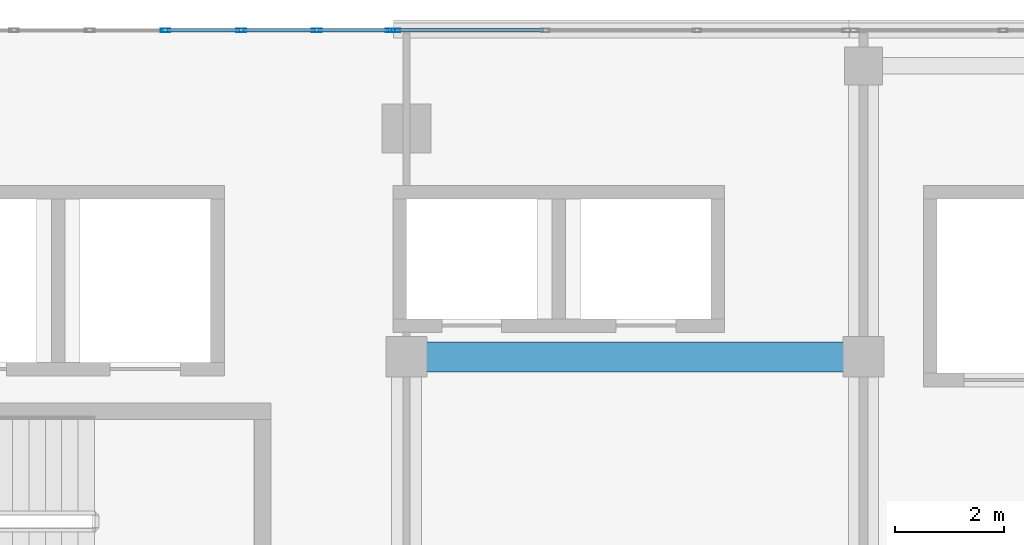
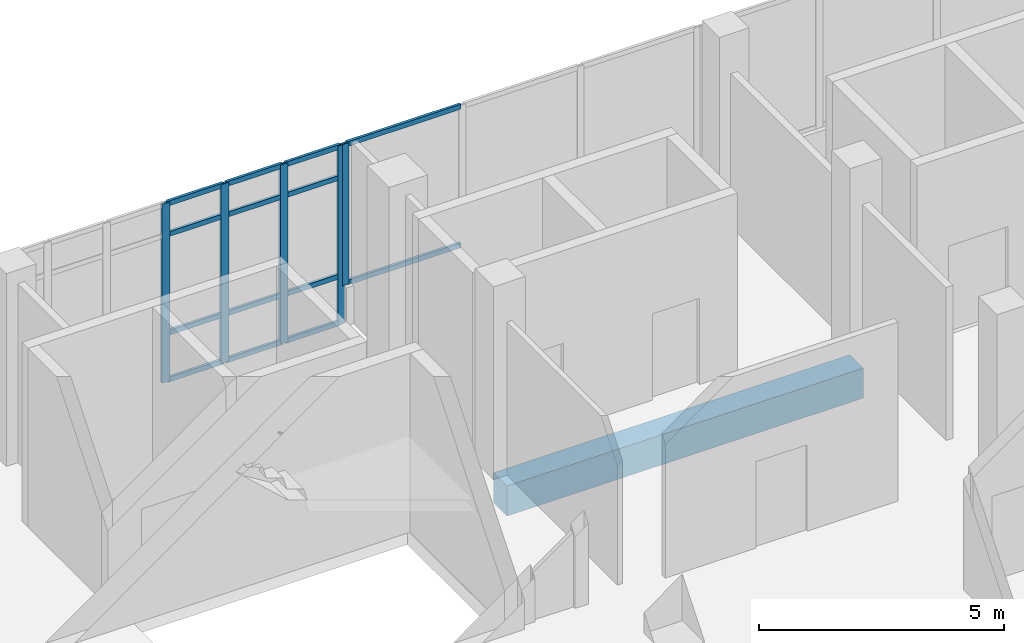
# One storey, part 88 of 155: 19 members, 1 beam, 2 elements without a shape of their own.
"""IFC4 building model written with IfcOpenShell, lengths in metres."""

from ifc_helpers import new_model, si_unit, direction, frame, origin, origin_2d, place, context, subcontext, project, spatial, rectangle, hollow_rectangle, extrude, material, material_profile, profile_set, type_object, element, aggregate, save


model = new_model("IFC4")

# Units and contexts
model_context = context("Model", 3, precision=1e-05, world=origin(), true_north=direction((0.0, 1.0)))
body_context = subcontext(model_context, "Body", "Model", "MODEL_VIEW")
ifc_project = project(units=[si_unit("LENGTHUNIT", "METRE"), si_unit("AREAUNIT", "SQUARE_METRE"), si_unit("VOLUMEUNIT", "CUBIC_METRE"), si_unit("PLANEANGLEUNIT", "RADIAN"), si_unit("MASSUNIT", "GRAM", prefix="KILO")], contexts=[model_context])

# Site, building, storey
site_placement = place(None, origin())
site = spatial("IfcSite", under=ifc_project, at=site_placement, CompositionType="ELEMENT")
building_placement = place(site_placement, origin())
building = spatial("IfcBuilding", under=site, at=building_placement, Name="Selatvlak General Hospital", CompositionType="ELEMENT")
storey_placement = place(building_placement, frame((0.0, 0.0, 10.199951171875)))
storey = spatial("IfcBuildingStorey", under=building, at=storey_placement, Name="L02", CompositionType="ELEMENT", Elevation=10.199951171875)

# Beam
ifc_material_1 = material(Name="Concrete C40/50", Category="concrete")
ifc_material_profile_1 = material_profile(ifc_material_1, rectangle(XDim=0.550048828125, YDim=0.75, at=origin_2d()), Name="RC-BM 550x750")
ifc_profile_set_1 = profile_set([ifc_material_profile_1], Name="Concrete C40/50")
beam_type = type_object("IfcBeamType", Name="BM-G02", PredefinedType="BEAM", material=ifc_profile_set_1)
beam_placement = place(storey_placement, frame((115.199951171875, 114.0, -0.72998046875), z_axis=(1.0, 0.0, 0.0), x_axis=(0.0, 1.0, 0.0)))
element("IfcBeam", 1, at=beam_placement, inside=storey, type_object=beam_type, Name="Beam BMR-L02-0902", PredefinedType="BEAM", context=body_context, shape_type="SweptSolid", body=[
    extrude(rectangle(XDim=0.550048828125, YDim=0.75, at=origin_2d()), origin(), (0.0, 0.0, 1.0), 8.400146484375),
])

# Curtain wall, member
ifc_material_2 = material(Name="Solar-control Low-E double glazing", Category="glass")
curtain_wall_type_1 = type_object("IfcCurtainWallType", Name="CW-CW-02", PredefinedType="USERDEFINED", material=ifc_material_2)
curtain_wall_1_placement = place(storey_placement, origin())
curtain_wall_1 = element("IfcCurtainWall", 2, at=curtain_wall_1_placement, inside=storey, type_object=curtain_wall_type_1, Name="Glazed facade curtain wall CW-L02-0255", ObjectType="UNITISED CURTAIN WALL", PredefinedType="USERDEFINED")
ifc_material_3 = material(Name="Dark anodised aluminium mullion", Category="aluminium")
ifc_material_profile_2 = material_profile(ifc_material_3, hollow_rectangle(XDim=0.06494140625, YDim=0.159912109375, WallThickness=0.00390625, at=origin_2d()), Name="AL-MUL 65x160x4")
ifc_profile_set_2 = profile_set([ifc_material_profile_2], Name="Dark anodised aluminium mullion")
member_type_1 = type_object("IfcMemberType", Name="CWM-01", PredefinedType="MULLION", material=ifc_profile_set_2)
member_1_placement = place(storey_placement, frame((115.006591796875, 120.0, 0.93994140625), z_axis=(0.0, 0.0, 1.0), x_axis=(0.0, 1.0, 0.0)))
member_1 = element("IfcMember", 3, at=member_1_placement, type_object=member_type_1, Name="CW-02 mullion 1", PredefinedType="MULLION", context=body_context, shape_type="SweptSolid", body=[
    extrude(hollow_rectangle(XDim=0.06494140625, YDim=0.159912109375, WallThickness=0.00390625, at=origin_2d()), origin(), (0.0, 0.0, 1.0), 3.52001953125),
])

# Curtain wall, members
curtain_wall_type_2 = type_object("IfcCurtainWallType", Name="CW-CW-04", PredefinedType="USERDEFINED", material=ifc_material_2)
curtain_wall_2_placement = place(storey_placement, origin())
curtain_wall_2 = element("IfcCurtainWall", 4, at=curtain_wall_2_placement, inside=storey, type_object=curtain_wall_type_2, Name="Glazed facade curtain wall CW-L02-0254", ObjectType="STICK GLAZING WALL", PredefinedType="USERDEFINED")
ifc_material_profile_3 = material_profile(ifc_material_3, hollow_rectangle(XDim=0.06494140625, YDim=0.179931640625, WallThickness=0.00439453125, at=origin_2d()), Name="AL-MUL 65x180x4.5")
ifc_profile_set_3 = profile_set([ifc_material_profile_3], Name="Dark anodised aluminium mullion")
member_type_2 = type_object("IfcMemberType", Name="CWM-02", PredefinedType="MULLION", material=ifc_profile_set_3)
member_2_placement = place(storey_placement, frame((110.76904296875, 120.0, 0.0), z_axis=(0.0, 0.0, 1.0), x_axis=(0.0, 1.0, 0.0)))
member_2 = element("IfcMember", 5, at=member_2_placement, type_object=member_type_2, Name="CW-04 mullion 4", PredefinedType="MULLION", context=body_context, shape_type="SweptSolid", body=[
    extrude(hollow_rectangle(XDim=0.06494140625, YDim=0.179931640625, WallThickness=0.00439453125, at=origin_2d()), origin(), (0.0, 0.0, 1.0), 4.4599609375),
])
member_3_placement = place(storey_placement, frame((112.16064453125, 120.0, 0.0), z_axis=(0.0, 0.0, 1.0), x_axis=(0.0, 1.0, 0.0)))
member_3 = element("IfcMember", 6, at=member_3_placement, type_object=member_type_2, Name="CW-04 mullion 5", PredefinedType="MULLION", context=body_context, shape_type="SweptSolid", body=[
    extrude(hollow_rectangle(XDim=0.06494140625, YDim=0.179931640625, WallThickness=0.00439453125, at=origin_2d()), origin(), (0.0, 0.0, 1.0), 4.4599609375),
])
member_4_placement = place(storey_placement, frame((113.55224609375, 120.0, 0.0), z_axis=(0.0, 0.0, 1.0), x_axis=(0.0, 1.0, 0.0)))
member_4 = element("IfcMember", 7, at=member_4_placement, type_object=member_type_2, Name="CW-04 mullion 6", PredefinedType="MULLION", context=body_context, shape_type="SweptSolid", body=[
    extrude(hollow_rectangle(XDim=0.06494140625, YDim=0.179931640625, WallThickness=0.00439453125, at=origin_2d()), origin(), (0.0, 0.0, 1.0), 4.4599609375),
])
member_5_placement = place(storey_placement, frame((114.91162109375, 120.0, 0.0), z_axis=(0.0, 0.0, 1.0), x_axis=(0.0, 1.0, 0.0)))
member_5 = element("IfcMember", 8, at=member_5_placement, type_object=member_type_2, Name="CW-04 mullion 7", PredefinedType="MULLION", context=body_context, shape_type="SweptSolid", body=[
    extrude(hollow_rectangle(XDim=0.06494140625, YDim=0.179931640625, WallThickness=0.00439453125, at=origin_2d()), origin(), (0.0, 0.0, 1.0), 4.4599609375),
])
ifc_material_profile_4 = material_profile(ifc_material_3, hollow_rectangle(XDim=0.06494140625, YDim=0.1201171875, WallThickness=0.00390625, at=origin_2d()), Name="AL-TRN 65x120x4")
ifc_profile_set_4 = profile_set([ifc_material_profile_4], Name="Dark anodised aluminium mullion")
member_type_3 = type_object("IfcMemberType", Name="CWT-01", PredefinedType="USERDEFINED", material=ifc_profile_set_4)
member_6_placement = place(storey_placement, frame((110.801513671875, 120.0, 0.032470703125), z_axis=(1.0, 0.0, 0.0), x_axis=(0.0, 1.0, 0.0)))
member_6 = element("IfcMember", 9, at=member_6_placement, type_object=member_type_3, Name="CW-04 transom 4.1", ObjectType="TRANSOM", PredefinedType="USERDEFINED", context=body_context, shape_type="SweptSolid", body=[
    extrude(hollow_rectangle(XDim=0.06494140625, YDim=0.1201171875, WallThickness=0.00390625, at=origin_2d()), origin(), (0.0, 0.0, 1.0), 1.32666015625),
])
member_7_placement = place(storey_placement, frame((110.801513671875, 120.0, 1.199951171875), z_axis=(1.0, 0.0, 0.0), x_axis=(0.0, 1.0, 0.0)))
member_7 = element("IfcMember", 10, at=member_7_placement, type_object=member_type_3, Name="CW-04 transom 4.2", ObjectType="TRANSOM", PredefinedType="USERDEFINED", context=body_context, shape_type="SweptSolid", body=[
    extrude(hollow_rectangle(XDim=0.06494140625, YDim=0.1201171875, WallThickness=0.00390625, at=origin_2d()), origin(), (0.0, 0.0, 1.0), 1.32666015625),
])
member_8_placement = place(storey_placement, frame((110.801513671875, 120.0, 3.66015625), z_axis=(1.0, 0.0, 0.0), x_axis=(0.0, 1.0, 0.0)))
member_8 = element("IfcMember", 11, at=member_8_placement, type_object=member_type_3, Name="CW-04 transom 4.3", ObjectType="TRANSOM", PredefinedType="USERDEFINED", context=body_context, shape_type="SweptSolid", body=[
    extrude(hollow_rectangle(XDim=0.06494140625, YDim=0.1201171875, WallThickness=0.00390625, at=origin_2d()), origin(), (0.0, 0.0, 1.0), 1.32666015625),
])
member_9_placement = place(storey_placement, frame((110.801513671875, 120.0, 4.427490234375), z_axis=(1.0, 0.0, 0.0), x_axis=(0.0, 1.0, 0.0)))
member_9 = element("IfcMember", 12, at=member_9_placement, type_object=member_type_3, Name="CW-04 transom 4.4", ObjectType="TRANSOM", PredefinedType="USERDEFINED", context=body_context, shape_type="SweptSolid", body=[
    extrude(hollow_rectangle(XDim=0.06494140625, YDim=0.1201171875, WallThickness=0.00390625, at=origin_2d()), origin(), (0.0, 0.0, 1.0), 1.32666015625),
])
member_10_placement = place(storey_placement, frame((112.193115234375, 120.0, 0.032470703125), z_axis=(1.0, 0.0, 0.0), x_axis=(0.0, 1.0, 0.0)))
member_10 = element("IfcMember", 13, at=member_10_placement, type_object=member_type_3, Name="CW-04 transom 5.1", ObjectType="TRANSOM", PredefinedType="USERDEFINED", context=body_context, shape_type="SweptSolid", body=[
    extrude(hollow_rectangle(XDim=0.06494140625, YDim=0.1201171875, WallThickness=0.00390625, at=origin_2d()), origin(), (0.0, 0.0, 1.0), 1.32666015625),
])
member_11_placement = place(storey_placement, frame((112.193115234375, 120.0, 1.199951171875), z_axis=(1.0, 0.0, 0.0), x_axis=(0.0, 1.0, 0.0)))
member_11 = element("IfcMember", 14, at=member_11_placement, type_object=member_type_3, Name="CW-04 transom 5.2", ObjectType="TRANSOM", PredefinedType="USERDEFINED", context=body_context, shape_type="SweptSolid", body=[
    extrude(hollow_rectangle(XDim=0.06494140625, YDim=0.1201171875, WallThickness=0.00390625, at=origin_2d()), origin(), (0.0, 0.0, 1.0), 1.32666015625),
])
member_12_placement = place(storey_placement, frame((112.193115234375, 120.0, 3.66015625), z_axis=(1.0, 0.0, 0.0), x_axis=(0.0, 1.0, 0.0)))
member_12 = element("IfcMember", 15, at=member_12_placement, type_object=member_type_3, Name="CW-04 transom 5.3", ObjectType="TRANSOM", PredefinedType="USERDEFINED", context=body_context, shape_type="SweptSolid", body=[
    extrude(hollow_rectangle(XDim=0.06494140625, YDim=0.1201171875, WallThickness=0.00390625, at=origin_2d()), origin(), (0.0, 0.0, 1.0), 1.32666015625),
])
member_13_placement = place(storey_placement, frame((112.193115234375, 120.0, 4.427490234375), z_axis=(1.0, 0.0, 0.0), x_axis=(0.0, 1.0, 0.0)))
member_13 = element("IfcMember", 16, at=member_13_placement, type_object=member_type_3, Name="CW-04 transom 5.4", ObjectType="TRANSOM", PredefinedType="USERDEFINED", context=body_context, shape_type="SweptSolid", body=[
    extrude(hollow_rectangle(XDim=0.06494140625, YDim=0.1201171875, WallThickness=0.00390625, at=origin_2d()), origin(), (0.0, 0.0, 1.0), 1.32666015625),
])
member_14_placement = place(storey_placement, frame((113.584716796875, 120.0, 0.032470703125), z_axis=(1.0, 0.0, 0.0), x_axis=(0.0, 1.0, 0.0)))
member_14 = element("IfcMember", 17, at=member_14_placement, type_object=member_type_3, Name="CW-04 transom 6.1", ObjectType="TRANSOM", PredefinedType="USERDEFINED", context=body_context, shape_type="SweptSolid", body=[
    extrude(hollow_rectangle(XDim=0.06494140625, YDim=0.1201171875, WallThickness=0.00390625, at=origin_2d()), origin(), (0.0, 0.0, 1.0), 1.294189453125),
])
member_15_placement = place(storey_placement, frame((113.584716796875, 120.0, 1.199951171875), z_axis=(1.0, 0.0, 0.0), x_axis=(0.0, 1.0, 0.0)))
member_15 = element("IfcMember", 18, at=member_15_placement, type_object=member_type_3, Name="CW-04 transom 6.2", ObjectType="TRANSOM", PredefinedType="USERDEFINED", context=body_context, shape_type="SweptSolid", body=[
    extrude(hollow_rectangle(XDim=0.06494140625, YDim=0.1201171875, WallThickness=0.00390625, at=origin_2d()), origin(), (0.0, 0.0, 1.0), 1.294189453125),
])
member_16_placement = place(storey_placement, frame((113.584716796875, 120.0, 3.66015625), z_axis=(1.0, 0.0, 0.0), x_axis=(0.0, 1.0, 0.0)))
member_16 = element("IfcMember", 19, at=member_16_placement, type_object=member_type_3, Name="CW-04 transom 6.3", ObjectType="TRANSOM", PredefinedType="USERDEFINED", context=body_context, shape_type="SweptSolid", body=[
    extrude(hollow_rectangle(XDim=0.06494140625, YDim=0.1201171875, WallThickness=0.00390625, at=origin_2d()), origin(), (0.0, 0.0, 1.0), 1.294189453125),
])
member_17_placement = place(storey_placement, frame((113.584716796875, 120.0, 4.427490234375), z_axis=(1.0, 0.0, 0.0), x_axis=(0.0, 1.0, 0.0)))
member_17 = element("IfcMember", 20, at=member_17_placement, type_object=member_type_3, Name="CW-04 transom 6.4", ObjectType="TRANSOM", PredefinedType="USERDEFINED", context=body_context, shape_type="SweptSolid", body=[
    extrude(hollow_rectangle(XDim=0.06494140625, YDim=0.1201171875, WallThickness=0.00390625, at=origin_2d()), origin(), (0.0, 0.0, 1.0), 1.294189453125),
])
aggregate(curtain_wall_2, [member_2, member_3, member_4, member_5, member_6, member_7, member_8, member_9, member_10, member_11, member_12, member_13, member_14, member_15, member_16, member_17])

# Member
member_18_placement = place(storey_placement, frame((115.0390625, 120.0, 0.97265625), z_axis=(1.0, 0.0, 0.0), x_axis=(0.0, 1.0, 0.0)))
member_18 = element("IfcMember", 21, at=member_18_placement, type_object=member_type_3, Name="CW-02 transom 1.1", ObjectType="TRANSOM", PredefinedType="USERDEFINED", context=body_context, shape_type="SweptSolid", body=[
    extrude(hollow_rectangle(XDim=0.06494140625, YDim=0.1201171875, WallThickness=0.00390625, at=origin_2d()), origin(), (0.0, 0.0, 1.0), 2.685791015625),
])

member_19_placement = place(storey_placement, frame((115.0390625, 120.0, 4.427490234375), z_axis=(1.0, 0.0, 0.0), x_axis=(0.0, 1.0, 0.0)))
member_19 = element("IfcMember", 22, at=member_19_placement, type_object=member_type_3, Name="CW-02 transom 1.2", ObjectType="TRANSOM", PredefinedType="USERDEFINED", context=body_context, shape_type="SweptSolid", body=[
    extrude(hollow_rectangle(XDim=0.06494140625, YDim=0.1201171875, WallThickness=0.00390625, at=origin_2d()), origin(), (0.0, 0.0, 1.0), 2.685791015625),
])

aggregate(curtain_wall_1, [member_1, member_18, member_19])

save(model, "model.ifc")
